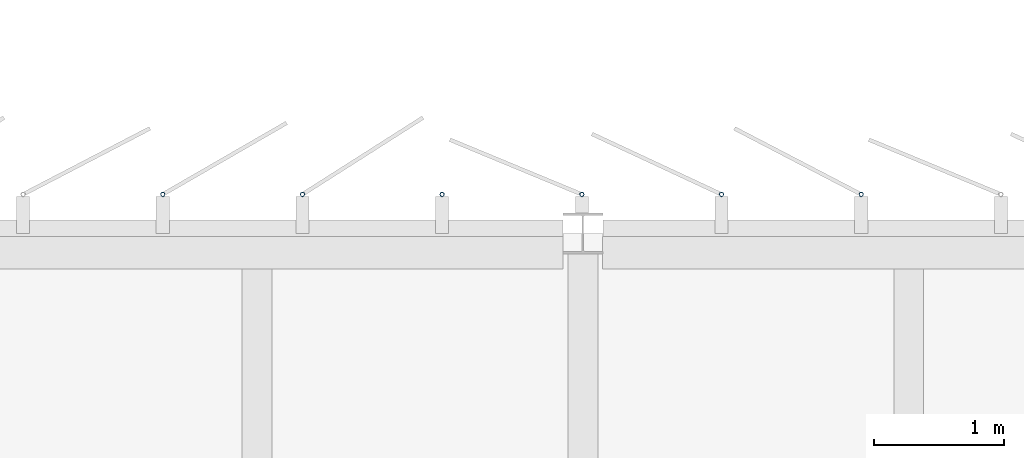
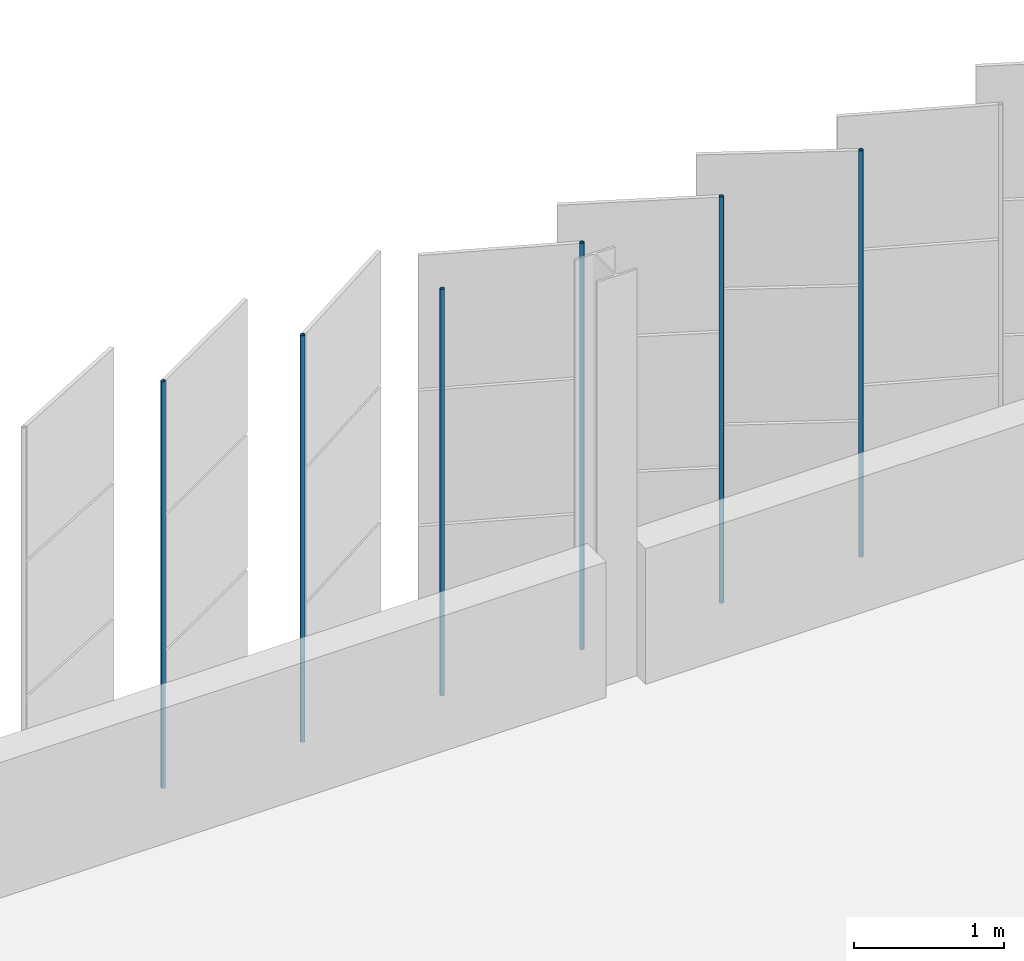
# One storey, part 156 of 214: 6 discrete accessories.
"""IFC4 building model written with IfcOpenShell, lengths in metres."""

from ifc_helpers import new_model, si_unit, direction, frame, origin, origin_2d, place, context, subcontext, project, spatial, hollow_circle, extrude, material, material_profile, profile_set, type_object, element, save


model = new_model("IFC4")

# Units and contexts
model_context = context("Model", 3, precision=1e-05, world=origin(), true_north=direction((0.0, 1.0)))
body_context = subcontext(model_context, "Body", "Model", "MODEL_VIEW")
ifc_project = project(units=[si_unit("LENGTHUNIT", "METRE"), si_unit("AREAUNIT", "SQUARE_METRE"), si_unit("VOLUMEUNIT", "CUBIC_METRE"), si_unit("PLANEANGLEUNIT", "RADIAN"), si_unit("MASSUNIT", "GRAM", prefix="KILO")], contexts=[model_context])

# Site, building, storey
site_placement = place(None, origin())
site = spatial("IfcSite", under=ifc_project, at=site_placement, CompositionType="ELEMENT")
building_placement = place(site_placement, origin())
building = spatial("IfcBuilding", under=site, at=building_placement, Name="Parallax Yard Mobility Hub", CompositionType="ELEMENT")
storey_placement = place(building_placement, frame((0.0, 0.0, 3.300048828125)))
storey = spatial("IfcBuildingStorey", under=building, at=storey_placement, Name="L01", CompositionType="ELEMENT", Elevation=3.300048828125)

# Discrete accessories
ifc_material = material(Name="Steel ASTM A500 Gr C, hot-dip galvanised", Category="steel")
ifc_material_profile = material_profile(ifc_material, hollow_circle(Radius=0.016845703125, WallThickness=0.003173828125, at=origin_2d()), Name="CHS 33.7x3.2")
ifc_profile_set = profile_set([ifc_material_profile], Name="Steel ASTM A500 Gr C, hot-dip galvanised")
discrete_accessory_type = type_object("IfcDiscreteAccessoryType", Name="Hinge post CHS 33.7x3.2", PredefinedType="BRACKET", material=ifc_profile_set)
for number, where, z_axis, x_axis, name in (
    (1, (92.13525390625, 142.800048828125, 0.0), (0.0, 0.0, 1.0), (1.0, 0.0, 0.0), "Hinge post bay 61.6 level L01"),
    (2, (91.063720703125, 142.800048828125, 0.0), (0.0, 0.0, 1.0), (1.0, 0.0, 0.0), "Hinge post bay 61.7 level L01"),
    (3, (89.9921875, 142.800048828125, 0.0), (0.0, 0.0, 1.0), (1.0, 0.0, 0.0), "Hinge post bay 62.1 level L01"),
    (4, (88.92041015625, 142.800048828125, 0.0), (0.0, 0.0, 1.0), (1.0, 0.0, 0.0), "Hinge post bay 62.2 level L01"),
    (5, (87.84912109375, 142.800048828125, 0.0), (0.0, 0.0, 1.0), (1.0, 0.0, 0.0), "Hinge post bay 62.3 level L01"),
    (6, (86.77734375, 142.800048828125, 0.0), (0.0, 0.0, 1.0), (1.0, 0.0, 0.0), "Hinge post bay 62.4 level L01"),
):
    element("IfcDiscreteAccessory", number, at=place(storey_placement, frame(where, z_axis=z_axis, x_axis=x_axis)), inside=storey, type_object=discrete_accessory_type, Name=name, PredefinedType="BRACKET", context=body_context, shape_type="SweptSolid", body=[
        extrude(hollow_circle(Radius=0.016845703125, WallThickness=0.003173828125, at=origin_2d()), origin(), (0.0, 0.0, 1.0), 3.300048828125),
    ])

save(model, "model.ifc")
